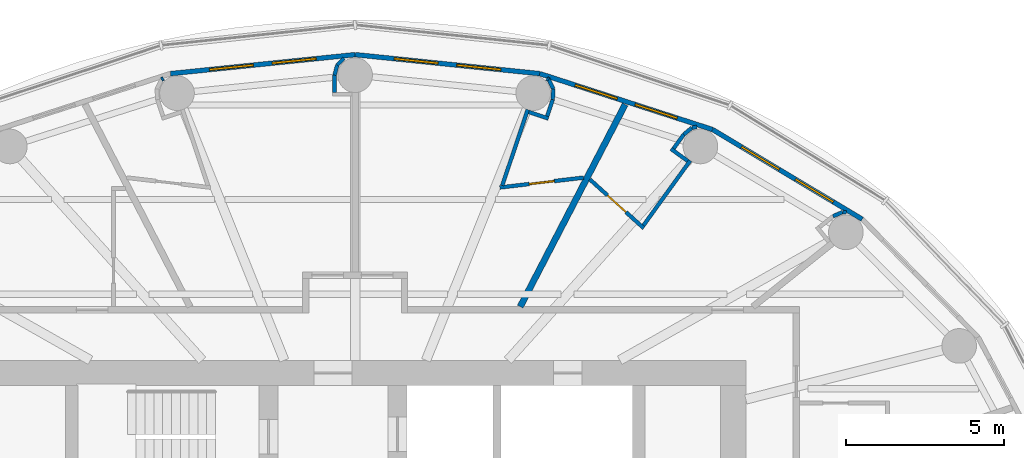
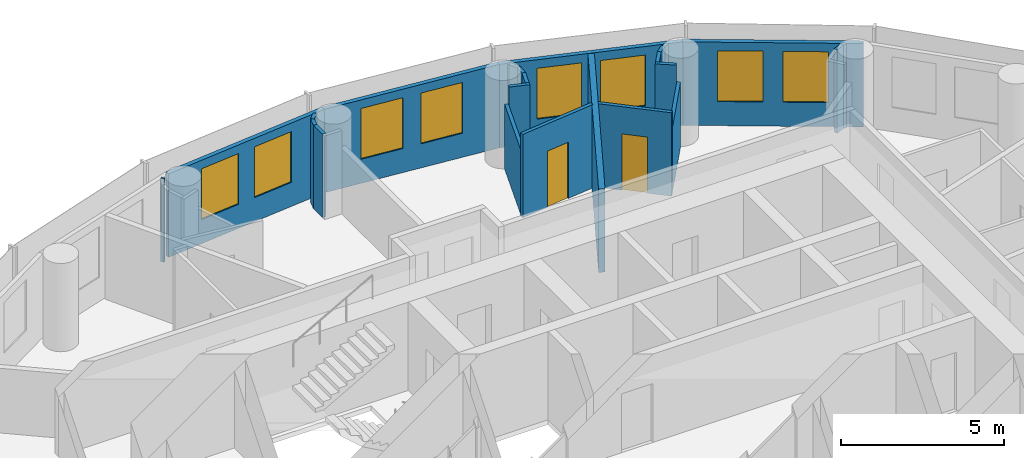
# One storey, part 13 of 16: 24 walls, 8 windows, 2 doors, 10 openings.
"""IFC4 building model written with IfcOpenShell, lengths in metres."""

from ifc_helpers import new_model, si_unit, direction, frame, frame_2d, origin, place, context, subcontext, project, spatial, rectangle, extrude, material, layer, layer_set, type_object, element, fill, save


model = new_model("IFC4")

# Units and contexts
model_context = context("Model", 3, precision=1e-05, world=origin(), true_north=direction((0.0, 1.0)))
body_context = subcontext(model_context, "Body", "Model", "MODEL_VIEW")
ifc_project = project(units=[si_unit("LENGTHUNIT", "METRE"), si_unit("AREAUNIT", "SQUARE_METRE"), si_unit("VOLUMEUNIT", "CUBIC_METRE"), si_unit("PLANEANGLEUNIT", "RADIAN"), si_unit("MASSUNIT", "GRAM", prefix="KILO")], contexts=[model_context])

# Site, building, storey
site_placement = place(None, origin())
site = spatial("IfcSite", under=ifc_project, at=site_placement, CompositionType="ELEMENT")
building_placement = place(site_placement, origin())
building = spatial("IfcBuilding", under=site, at=building_placement, Name="Hankou Lantern Tower", CompositionType="ELEMENT")
storey_placement = place(building_placement, frame((0.0, 0.0, 166.5)))
storey = spatial("IfcBuildingStorey", under=building, at=storey_placement, Name="L44", CompositionType="ELEMENT", Elevation=166.5)

# Wall, openings, windows
ifc_material_1 = material(Name="Aluminium spandrel panel on steel studs", Category="steel")
ifc_layer_1 = layer(ifc_material_1, 0.14990234375)
ifc_layer_set_1 = layer_set([ifc_layer_1], Name="Aluminium spandrel panel on steel studs")
wall_type_1 = type_object("IfcWallType", Name="EW1 INNER SKIN WALL 150", PredefinedType="ELEMENTEDWALL", material=ifc_layer_set_1)
wall_1_placement = place(storey_placement, frame((16.0947265625, 12.875732421875, 0.0), z_axis=(0.0, 0.0, 1.0), x_axis=(-0.857695199231, 0.514158482587, 0.0)))
wall_1 = element("IfcWall", 1, at=wall_1_placement, inside=storey, type_object=wall_type_1, Name="Inner skin R04-R05 L44", PredefinedType="ELEMENTEDWALL", context=body_context, shape_type="SweptSolid", body=[
    extrude(rectangle(XDim=5.5361328125, YDim=0.14990234375, at=frame_2d((2.76806640625, 0.0))), origin(), (0.0, 0.0, 1.0), 3.1201171875),
])
opening_1_placement = place(wall_1_placement, frame((1.068115234375, 0.0, 0.89990234375)))
opening_1 = element("IfcOpeningElement", 2, at=opening_1_placement, cuts=wall_1, Name="Opening W3", PredefinedType="OPENING", context=body_context, shape_type="SweptSolid", body=[
    extrude(rectangle(XDim=1.39990234375, YDim=1.89990234375, at=frame_2d((0.699951171875, 0.949951171875))), frame((0.0, 0.0849609375, 0.0), z_axis=(0.0, -1.0, 0.0), x_axis=(1.0, 0.0, 0.0)), (0.0, 0.0, 1.0), 0.169921875),
])
opening_2_placement = place(wall_1_placement, frame((3.068115234375, 0.0, 0.89990234375)))
opening_2 = element("IfcOpeningElement", 3, at=opening_2_placement, cuts=wall_1, Name="Opening W3", PredefinedType="OPENING", context=body_context, shape_type="SweptSolid", body=[
    extrude(rectangle(XDim=1.39990234375, YDim=1.89990234375, at=frame_2d((0.699951171875, 0.949951171875))), frame((0.0, 0.0849609375, 0.0), z_axis=(0.0, -1.0, 0.0), x_axis=(1.0, 0.0, 0.0)), (0.0, 0.0, 1.0), 0.169921875),
])
ifc_material_2 = material(Name="Aluminium framed double glazed window", Category="aluminium")
window_type = type_object("IfcWindowType", Name="W3 GUEST ROOM WINDOW 1400X1900", PartitioningType="DOUBLE_PANEL_VERTICAL", PredefinedType="WINDOW", material=ifc_material_2)
window_1_placement = place(opening_1_placement, origin())
window_1 = element("IfcWindow", 4, at=window_1_placement, inside=storey, type_object=window_type, Name="Window R04.1 L44", OverallHeight=1.89990234375, OverallWidth=1.39990234375, PartitioningType="SINGLE_PANEL", PredefinedType="WINDOW", context=body_context, shape_type="SweptSolid", body=[
    extrude(rectangle(XDim=1.39990234375, YDim=1.89990234375, at=frame_2d((0.699951171875, 0.949951171875))), frame((0.0, 0.030029296875, 0.0), z_axis=(0.0, -1.0, 0.0), x_axis=(1.0, 0.0, 0.0)), (0.0, 0.0, 1.0), 0.06005859375),
])
fill(opening_1, window_1)
window_2_placement = place(opening_2_placement, origin())
window_2 = element("IfcWindow", 5, at=window_2_placement, inside=storey, type_object=window_type, Name="Window R04.2 L44", OverallHeight=1.89990234375, OverallWidth=1.39990234375, PartitioningType="SINGLE_PANEL", PredefinedType="WINDOW", context=body_context, shape_type="SweptSolid", body=[
    extrude(rectangle(XDim=1.39990234375, YDim=1.89990234375, at=frame_2d((0.699951171875, 0.949951171875))), frame((0.0, 0.030029296875, 0.0), z_axis=(0.0, -1.0, 0.0), x_axis=(1.0, 0.0, 0.0)), (0.0, 0.0, 1.0), 0.06005859375),
])
fill(opening_2, window_2)

wall_2_placement = place(storey_placement, frame((11.346435546875, 15.72216796875, 0.0), z_axis=(0.0, 0.0, 1.0), x_axis=(-0.951432482129, 0.307857486429, 0.0)))
wall_2 = element("IfcWall", 6, at=wall_2_placement, inside=storey, type_object=wall_type_1, Name="Inner skin R05-R06 L44", PredefinedType="ELEMENTEDWALL", context=body_context, shape_type="SweptSolid", body=[
    extrude(rectangle(XDim=5.76611328125, YDim=0.14990234375, at=frame_2d((2.883056640625, 0.0))), origin(), (0.0, 0.0, 1.0), 3.1201171875),
])
opening_3_placement = place(wall_2_placement, frame((1.18310546875, 0.0, 0.89990234375)))
opening_3 = element("IfcOpeningElement", 7, at=opening_3_placement, cuts=wall_2, Name="Opening W3", PredefinedType="OPENING", context=body_context, shape_type="SweptSolid", body=[
    extrude(rectangle(XDim=1.39990234375, YDim=1.89990234375, at=frame_2d((0.699951171875, 0.949951171875))), frame((0.0, 0.0849609375, 0.0), z_axis=(0.0, -1.0, 0.0), x_axis=(1.0, 0.0, 0.0)), (0.0, 0.0, 1.0), 0.169921875),
])
opening_4_placement = place(wall_2_placement, frame((3.18310546875, 0.0, 0.89990234375)))
opening_4 = element("IfcOpeningElement", 8, at=opening_4_placement, cuts=wall_2, Name="Opening W3", PredefinedType="OPENING", context=body_context, shape_type="SweptSolid", body=[
    extrude(rectangle(XDim=1.39990234375, YDim=1.89990234375, at=frame_2d((0.699951171875, 0.949951171875))), frame((0.0, 0.0849609375, 0.0), z_axis=(0.0, -1.0, 0.0), x_axis=(1.0, 0.0, 0.0)), (0.0, 0.0, 1.0), 0.169921875),
])
window_3_placement = place(opening_3_placement, origin())
window_3 = element("IfcWindow", 9, at=window_3_placement, inside=storey, type_object=window_type, Name="Window R05.1 L44", OverallHeight=1.89990234375, OverallWidth=1.39990234375, PartitioningType="SINGLE_PANEL", PredefinedType="WINDOW", context=body_context, shape_type="SweptSolid", body=[
    extrude(rectangle(XDim=1.39990234375, YDim=1.89990234375, at=frame_2d((0.699951171875, 0.949951171875))), frame((0.0, 0.030029296875, 0.0), z_axis=(0.0, -1.0, 0.0), x_axis=(1.0, 0.0, 0.0)), (0.0, 0.0, 1.0), 0.06005859375),
])
fill(opening_3, window_3)
window_4_placement = place(opening_4_placement, origin())
window_4 = element("IfcWindow", 10, at=window_4_placement, inside=storey, type_object=window_type, Name="Window R05.2 L44", OverallHeight=1.89990234375, OverallWidth=1.39990234375, PartitioningType="SINGLE_PANEL", PredefinedType="WINDOW", context=body_context, shape_type="SweptSolid", body=[
    extrude(rectangle(XDim=1.39990234375, YDim=1.89990234375, at=frame_2d((0.699951171875, 0.949951171875))), frame((0.0, 0.030029296875, 0.0), z_axis=(0.0, -1.0, 0.0), x_axis=(1.0, 0.0, 0.0)), (0.0, 0.0, 1.0), 0.06005859375),
])
fill(opening_4, window_4)

wall_3_placement = place(storey_placement, frame((5.8603515625, 17.497314453125, 0.0), z_axis=(0.0, 0.0, 1.0), x_axis=(-0.994751738032, 0.102318032045, 0.0)))
wall_3 = element("IfcWall", 11, at=wall_3_placement, inside=storey, type_object=wall_type_1, Name="Inner skin R06-R07 L44", PredefinedType="ELEMENTEDWALL", context=body_context, shape_type="SweptSolid", body=[
    extrude(rectangle(XDim=5.891357421875, YDim=0.14990234375, at=frame_2d((2.94580078125, 0.0))), origin(), (0.0, 0.0, 1.0), 3.1201171875),
])
opening_5_placement = place(wall_3_placement, frame((1.24560546875, 0.0, 0.89990234375)))
opening_5 = element("IfcOpeningElement", 12, at=opening_5_placement, cuts=wall_3, Name="Opening W3", PredefinedType="OPENING", context=body_context, shape_type="SweptSolid", body=[
    extrude(rectangle(XDim=1.39990234375, YDim=1.89990234375, at=frame_2d((0.699951171875, 0.949951171875))), frame((0.0, 0.0849609375, 0.0), z_axis=(0.0, -1.0, 0.0), x_axis=(1.0, 0.0, 0.0)), (0.0, 0.0, 1.0), 0.169921875),
])
opening_6_placement = place(wall_3_placement, frame((3.24560546875, 0.0, 0.89990234375)))
opening_6 = element("IfcOpeningElement", 13, at=opening_6_placement, cuts=wall_3, Name="Opening W3", PredefinedType="OPENING", context=body_context, shape_type="SweptSolid", body=[
    extrude(rectangle(XDim=1.39990234375, YDim=1.89990234375, at=frame_2d((0.699951171875, 0.949951171875))), frame((0.0, 0.0849609375, 0.0), z_axis=(0.0, -1.0, 0.0), x_axis=(1.0, 0.0, 0.0)), (0.0, 0.0, 1.0), 0.169921875),
])
window_5_placement = place(opening_5_placement, origin())
window_5 = element("IfcWindow", 14, at=window_5_placement, inside=storey, type_object=window_type, Name="Window R06.1 L44", OverallHeight=1.89990234375, OverallWidth=1.39990234375, PartitioningType="SINGLE_PANEL", PredefinedType="WINDOW", context=body_context, shape_type="SweptSolid", body=[
    extrude(rectangle(XDim=1.39990234375, YDim=1.89990234375, at=frame_2d((0.699951171875, 0.949951171875))), frame((0.0, 0.030029296875, 0.0), z_axis=(0.0, -1.0, 0.0), x_axis=(1.0, 0.0, 0.0)), (0.0, 0.0, 1.0), 0.06005859375),
])
fill(opening_5, window_5)
window_6_placement = place(opening_6_placement, origin())
window_6 = element("IfcWindow", 15, at=window_6_placement, inside=storey, type_object=window_type, Name="Window R06.2 L44", OverallHeight=1.89990234375, OverallWidth=1.39990234375, PartitioningType="SINGLE_PANEL", PredefinedType="WINDOW", context=body_context, shape_type="SweptSolid", body=[
    extrude(rectangle(XDim=1.39990234375, YDim=1.89990234375, at=frame_2d((0.699951171875, 0.949951171875))), frame((0.0, 0.030029296875, 0.0), z_axis=(0.0, -1.0, 0.0), x_axis=(1.0, 0.0, 0.0)), (0.0, 0.0, 1.0), 0.06005859375),
])
fill(opening_6, window_6)

wall_4_placement = place(storey_placement, frame((0.0, 18.10009765625, 0.0), z_axis=(0.0, 0.0, 1.0), x_axis=(-0.994751738032, -0.102318032045, 0.0)))
wall_4 = element("IfcWall", 16, at=wall_4_placement, inside=storey, type_object=wall_type_1, Name="Inner skin R07-R08 L44", PredefinedType="ELEMENTEDWALL", context=body_context, shape_type="SweptSolid", body=[
    extrude(rectangle(XDim=5.891357421875, YDim=0.14990234375, at=frame_2d((2.94580078125, 0.0))), origin(), (0.0, 0.0, 1.0), 3.1201171875),
])
opening_7_placement = place(wall_4_placement, frame((1.24560546875, 0.0, 0.89990234375)))
opening_7 = element("IfcOpeningElement", 17, at=opening_7_placement, cuts=wall_4, Name="Opening W3", PredefinedType="OPENING", context=body_context, shape_type="SweptSolid", body=[
    extrude(rectangle(XDim=1.39990234375, YDim=1.89990234375, at=frame_2d((0.699951171875, 0.949951171875))), frame((0.0, 0.0849609375, 0.0), z_axis=(0.0, -1.0, 0.0), x_axis=(1.0, 0.0, 0.0)), (0.0, 0.0, 1.0), 0.169921875),
])
opening_8_placement = place(wall_4_placement, frame((3.24560546875, 0.0, 0.89990234375)))
opening_8 = element("IfcOpeningElement", 18, at=opening_8_placement, cuts=wall_4, Name="Opening W3", PredefinedType="OPENING", context=body_context, shape_type="SweptSolid", body=[
    extrude(rectangle(XDim=1.39990234375, YDim=1.89990234375, at=frame_2d((0.699951171875, 0.949951171875))), frame((0.0, 0.0849609375, 0.0), z_axis=(0.0, -1.0, 0.0), x_axis=(1.0, 0.0, 0.0)), (0.0, 0.0, 1.0), 0.169921875),
])
window_7_placement = place(opening_7_placement, origin())
window_7 = element("IfcWindow", 19, at=window_7_placement, inside=storey, type_object=window_type, Name="Window R07.1 L44", OverallHeight=1.89990234375, OverallWidth=1.39990234375, PartitioningType="SINGLE_PANEL", PredefinedType="WINDOW", context=body_context, shape_type="SweptSolid", body=[
    extrude(rectangle(XDim=1.39990234375, YDim=1.89990234375, at=frame_2d((0.699951171875, 0.949951171875))), frame((0.0, 0.030029296875, 0.0), z_axis=(0.0, -1.0, 0.0), x_axis=(1.0, 0.0, 0.0)), (0.0, 0.0, 1.0), 0.06005859375),
])
fill(opening_7, window_7)
window_8_placement = place(opening_8_placement, origin())
window_8 = element("IfcWindow", 20, at=window_8_placement, inside=storey, type_object=window_type, Name="Window R07.2 L44", OverallHeight=1.89990234375, OverallWidth=1.39990234375, PartitioningType="SINGLE_PANEL", PredefinedType="WINDOW", context=body_context, shape_type="SweptSolid", body=[
    extrude(rectangle(XDim=1.39990234375, YDim=1.89990234375, at=frame_2d((0.699951171875, 0.949951171875))), frame((0.0, 0.030029296875, 0.0), z_axis=(0.0, -1.0, 0.0), x_axis=(1.0, 0.0, 0.0)), (0.0, 0.0, 1.0), 0.06005859375),
])
fill(opening_8, window_8)

# Wall
ifc_material_3 = material(Name="Masonry lightweight concrete block", Category="masonry")
ifc_layer_2 = layer(ifc_material_3, 0.199951171875)
ifc_layer_set_2 = layer_set([ifc_layer_2], Name="Masonry lightweight concrete block")
wall_type_2 = type_object("IfcWallType", Name="IW1 GUEST ROOM PARTY WALL 200", PredefinedType="PARTITIONING", material=ifc_layer_set_2)
wall_5_placement = place(storey_placement, frame((5.239990234375, 10.10009765625, 0.0), z_axis=(0.0, 0.0, 1.0), x_axis=(0.460532965373, 0.887642601391, 0.0)))
element("IfcWall", 21, at=wall_5_placement, inside=storey, type_object=wall_type_2, Name="Party wall R05-R06", PredefinedType="PARTITIONING", context=body_context, shape_type="SweptSolid", body=[
    extrude(rectangle(XDim=7.2314453125, YDim=0.199951171875, at=frame_2d((3.61572265625, 0.0))), origin(), (0.0, 0.0, 1.0), 3.1201171875),
])

# Wall, opening, door
ifc_material_4 = material(Name="Masonry lightweight concrete block", Category="masonry")
ifc_layer_3 = layer(ifc_material_4, 0.1201171875)
ifc_layer_set_3 = layer_set([ifc_layer_3], Name="Masonry lightweight concrete block")
wall_type_3 = type_object("IfcWallType", Name="IW3 BATHROOM WALL 120", PredefinedType="PARTITIONING", material=ifc_layer_set_3)
wall_6_placement = place(storey_placement, frame((7.44970703125, 14.1416015625, 0.0), z_axis=(0.0, 0.0, 1.0), x_axis=(0.74113984586, -0.671350675041, 0.0)))
wall_6 = element("IfcWall", 22, at=wall_6_placement, inside=storey, type_object=wall_type_3, Name="Box wall 4407 1", PredefinedType="PARTITIONING", context=body_context, shape_type="SweptSolid", body=[
    extrude(rectangle(XDim=2.308837890625, YDim=0.1201171875, at=frame_2d((1.154296875, 0.0))), origin(), (0.0, 0.0, 1.0), 3.1201171875),
])
opening_9_placement = place(wall_6_placement, frame((0.75439453125, 0.0, 0.0)))
opening_9 = element("IfcOpeningElement", 23, at=opening_9_placement, cuts=wall_6, Name="Opening D3", PredefinedType="OPENING", context=body_context, shape_type="SweptSolid", body=[
    extrude(rectangle(XDim=0.800048828125, YDim=2.10009765625, at=frame_2d((0.39990234375, 1.050048828125))), frame((0.0, 0.070068359375, 0.0), z_axis=(0.0, -1.0, 0.0), x_axis=(1.0, 0.0, 0.0)), (0.0, 0.0, 1.0), 0.14013671875),
])
ifc_material_5 = material(Name="Timber door leaf", Category="wood")
door_type = type_object("IfcDoorType", Name="D3 BATHROOM DOOR 800X2100", OperationType="SINGLE_SWING_LEFT", PredefinedType="DOOR", material=ifc_material_5)
door_1_placement = place(opening_9_placement, origin())
door_1 = element("IfcDoor", 24, at=door_1_placement, inside=storey, type_object=door_type, Name="En-suite bathroom 4407 door", OperationType="SINGLE_SWING_RIGHT", OverallHeight=2.10009765625, OverallWidth=0.800048828125, PredefinedType="DOOR", context=body_context, shape_type="SweptSolid", body=[
    extrude(rectangle(XDim=0.800048828125, YDim=2.10009765625, at=frame_2d((0.39990234375, 1.050048828125))), frame((0.0, 0.02490234375, 0.0), z_axis=(0.0, -1.0, 0.0), x_axis=(1.0, 0.0, 0.0)), (0.0, 0.0, 1.0), 0.050048828125),
])
fill(opening_9, door_1)

# Walls
wall_7_placement = place(storey_placement, frame((9.1513671875, 12.6806640625, 0.0), z_axis=(0.0, 0.0, 1.0), x_axis=(0.585258912334, 0.8108464747, 0.0)))
element("IfcWall", 25, at=wall_7_placement, inside=storey, type_object=wall_type_3, Name="Box wall 4407 2", PredefinedType="PARTITIONING", context=body_context, shape_type="SweptSolid", body=[
    extrude(rectangle(XDim=2.5400390625, YDim=0.1201171875, at=frame_2d((1.27001953125, 0.0))), origin(), (0.0, 0.0, 1.0), 2.419921875),
])
wall_8_placement = place(storey_placement, frame((10.55419921875, 14.726806640625, 0.0), z_axis=(0.0, 0.0, 1.0), x_axis=(-0.811044231224, 0.584984833135, 0.0)))
element("IfcWall", 26, at=wall_8_placement, inside=storey, type_object=wall_type_3, Name="Column casing 4407 return", PredefinedType="PARTITIONING", context=body_context, shape_type="SweptSolid", body=[
    extrude(rectangle(XDim=0.65234375, YDim=0.1201171875, at=frame_2d((0.326171875, 0.0))), origin(), (0.0, 0.0, 1.0), 3.1201171875),
])
wall_9_placement = place(storey_placement, frame((10.10888671875, 15.121826171875, 0.0), z_axis=(0.0, 0.0, 1.0), x_axis=(0.585344718358, 0.810784534072, 0.0)))
element("IfcWall", 27, at=wall_9_placement, inside=storey, type_object=wall_type_3, Name="Column casing 4407", PredefinedType="PARTITIONING", context=body_context, shape_type="SweptSolid", body=[
    extrude(rectangle(XDim=0.550048828125, YDim=0.1201171875, at=frame_2d((0.27490234375, 0.0))), origin(), (0.0, 0.0, 1.0), 3.1201171875),
])
wall_10_placement = place(storey_placement, frame((10.430908203125, 15.56787109375, 0.0), z_axis=(0.0, 0.0, 1.0), x_axis=(0.77505137267, 0.631898227345, 0.0)))
element("IfcWall", 28, at=wall_10_placement, inside=storey, type_object=wall_type_3, Name="Column casing 4407", PredefinedType="PARTITIONING", context=body_context, shape_type="SweptSolid", body=[
    extrude(rectangle(XDim=0.337646484375, YDim=0.1201171875, at=frame_2d((0.1689453125, 0.0))), origin(), (0.0, 0.0, 1.0), 3.1201171875),
])
wall_11_placement = place(storey_placement, frame((10.692626953125, 15.78125, 0.0), z_axis=(0.0, 0.0, 1.0), x_axis=(0.987256785332, 0.159135287777, 0.0)))
element("IfcWall", 29, at=wall_11_placement, inside=storey, type_object=wall_type_3, Name="Column casing 4407", PredefinedType="PARTITIONING", context=body_context, shape_type="SweptSolid", body=[
    extrude(rectangle(XDim=0.157958984375, YDim=0.1201171875, at=frame_2d((0.0791015625, 0.0))), origin(), (0.0, 0.0, 1.0), 3.1201171875),
])

# Wall, opening, door
wall_12_placement = place(storey_placement, frame((7.2529296875, 14.197021484375, 0.0), z_axis=(0.0, 0.0, 1.0), x_axis=(-0.993128188393, -0.117031625725, 0.0)))
wall_12 = element("IfcWall", 30, at=wall_12_placement, inside=storey, type_object=wall_type_3, Name="Box wall 4408 1", PredefinedType="PARTITIONING", context=body_context, shape_type="SweptSolid", body=[
    extrude(rectangle(XDim=2.678466796875, YDim=0.1201171875, at=frame_2d((1.33935546875, 0.0))), origin(), (0.0, 0.0, 1.0), 3.1201171875),
])
opening_10_placement = place(wall_12_placement, frame((0.939208984375, 0.0, 0.0)))
opening_10 = element("IfcOpeningElement", 31, at=opening_10_placement, cuts=wall_12, Name="Opening D3", PredefinedType="OPENING", context=body_context, shape_type="SweptSolid", body=[
    extrude(rectangle(XDim=0.800048828125, YDim=2.10009765625, at=frame_2d((0.39990234375, 1.050048828125))), frame((0.0, 0.070068359375, 0.0), z_axis=(0.0, -1.0, 0.0), x_axis=(1.0, 0.0, 0.0)), (0.0, 0.0, 1.0), 0.14013671875),
])
door_2_placement = place(opening_10_placement, origin())
door_2 = element("IfcDoor", 32, at=door_2_placement, inside=storey, type_object=door_type, Name="En-suite bathroom 4408 door", OperationType="SINGLE_SWING_LEFT", OverallHeight=2.10009765625, OverallWidth=0.800048828125, PredefinedType="DOOR", context=body_context, shape_type="SweptSolid", body=[
    extrude(rectangle(XDim=0.800048828125, YDim=2.10009765625, at=frame_2d((0.39990234375, 1.050048828125))), frame((0.0, 0.02490234375, 0.0), z_axis=(0.0, -1.0, 0.0), x_axis=(1.0, 0.0, 0.0)), (0.0, 0.0, 1.0), 0.050048828125),
])
fill(opening_10, door_2)

# Walls
wall_13_placement = place(storey_placement, frame((4.67138671875, 13.947509765625, 0.0), z_axis=(0.0, 0.0, 1.0), x_axis=(0.317669167093, 0.948201613729, 0.0)))
element("IfcWall", 33, at=wall_13_placement, inside=storey, type_object=wall_type_3, Name="Box wall 4408 2", PredefinedType="PARTITIONING", context=body_context, shape_type="SweptSolid", body=[
    extrude(rectangle(XDim=2.5400390625, YDim=0.1201171875, at=frame_2d((1.27001953125, 0.0))), origin(), (0.0, 0.0, 1.0), 2.419921875),
])
wall_14_placement = place(storey_placement, frame((5.51611328125, 16.280029296875, 0.0), z_axis=(0.0, 0.0, 1.0), x_axis=(0.948157944392, -0.317799484717, 0.0)))
element("IfcWall", 34, at=wall_14_placement, inside=storey, type_object=wall_type_3, Name="Column casing 4408 return", PredefinedType="PARTITIONING", context=body_context, shape_type="SweptSolid", body=[
    extrude(rectangle(XDim=0.652099609375, YDim=0.1201171875, at=frame_2d((0.326171875, 0.0))), origin(), (0.0, 0.0, 1.0), 3.1201171875),
])
wall_15_placement = place(storey_placement, frame((6.0966796875, 16.148681640625, 0.0), z_axis=(0.0, 0.0, 1.0), x_axis=(0.317292604854, 0.948327687514, 0.0)))
element("IfcWall", 35, at=wall_15_placement, inside=storey, type_object=wall_type_3, Name="Column casing 4408", PredefinedType="PARTITIONING", context=body_context, shape_type="SweptSolid", body=[
    extrude(rectangle(XDim=0.550048828125, YDim=0.1201171875, at=frame_2d((0.27490234375, 0.0))), origin(), (0.0, 0.0, 1.0), 3.1201171875),
])
for number, where, z_axis, x_axis, name in (
    (36, (6.271240234375, 16.67041015625, 0.0), (0.0, 0.0, 1.0), (0.061477694849, 0.998108457552, 0.0), "Column casing 4408"),
    (37, (6.2919921875, 17.00732421875, 0.0), (0.0, 0.0, 1.0), (-0.445477128334, 0.895293319606, 0.0), "Column casing 4408"),
):
    element("IfcWall", number, at=place(storey_placement, frame(where, z_axis=z_axis, x_axis=x_axis)), inside=storey, type_object=wall_type_3, Name=name, PredefinedType="PARTITIONING", context=body_context, shape_type="SweptSolid", body=[
        extrude(rectangle(XDim=0.337646484375, YDim=0.1201171875, at=frame_2d((0.1689453125, 0.0))), origin(), (0.0, 0.0, 1.0), 3.1201171875),
    ])
for number, where, z_axis, x_axis, name in (
    (38, (6.1416015625, 17.3095703125, 0.0), (0.0, 0.0, 1.0), (-0.835039693181, 0.550189704386, 0.0), "Column casing 4408"),
    (39, (-6.1416015625, 17.3095703125, 0.0), (0.0, 0.0, 1.0), (0.835039693181, 0.550189704386, 0.0), "Column casing 4409"),
):
    element("IfcWall", number, at=place(storey_placement, frame(where, z_axis=z_axis, x_axis=x_axis)), inside=storey, type_object=wall_type_3, Name=name, PredefinedType="PARTITIONING", context=body_context, shape_type="SweptSolid", body=[
        extrude(rectangle(XDim=0.0625, YDim=0.1201171875, at=frame_2d((0.03125, 0.0))), origin(), (0.0, 0.0, 1.0), 3.1201171875),
    ])
ifc_material_6 = material(Name="Masonry lightweight concrete block", Category="masonry")
ifc_layer_4 = layer(ifc_material_6, 0.1201171875)
ifc_layer_set_4 = layer_set([ifc_layer_4], Name="Masonry lightweight concrete block")
wall_type_4 = type_object("IfcWallType", Name="IW4 PARTITION 120", PredefinedType="PARTITIONING", material=ifc_layer_set_4)
wall_16_placement = place(storey_placement, frame((15.168701171875, 12.97021484375, 0.0), z_axis=(0.0, 0.0, 1.0), x_axis=(0.915974725257, 0.401235968838, 0.0)))
element("IfcWall", 40, at=wall_16_placement, inside=storey, type_object=wall_type_4, Name="Column casing R04", PredefinedType="PARTITIONING", context=body_context, shape_type="SweptSolid", body=[
    extrude(rectangle(XDim=0.337646484375, YDim=0.1201171875, at=frame_2d((0.1689453125, 0.0))), origin(), (0.0, 0.0, 1.0), 3.1201171875),
])
wall_17_placement = place(storey_placement, frame((15.47802734375, 13.105712890625, 0.0), z_axis=(0.0, 0.0, 1.0), x_axis=(0.993778813557, -0.111371763588, 0.0)))
element("IfcWall", 41, at=wall_17_placement, inside=storey, type_object=wall_type_4, Name="Column casing R04", PredefinedType="PARTITIONING", context=body_context, shape_type="SweptSolid", body=[
    extrude(rectangle(XDim=0.114013671875, YDim=0.1201171875, at=frame_2d((0.05712890625, 0.0))), origin(), (0.0, 0.0, 1.0), 3.1201171875),
])
wall_18_placement = place(storey_placement, frame((-0.65234375, 16.89990234375, 0.0), z_axis=(0.0, 0.0, 1.0), x_axis=(0.0, 1.0, 0.0)))
element("IfcWall", 42, at=wall_18_placement, inside=storey, type_object=wall_type_4, Name="Column casing R07", PredefinedType="PARTITIONING", context=body_context, shape_type="SweptSolid", body=[
    extrude(rectangle(XDim=0.550048828125, YDim=0.1201171875, at=frame_2d((0.27490234375, 0.0))), origin(), (0.0, 0.0, 1.0), 3.1201171875),
])
wall_19_placement = place(storey_placement, frame((-0.65234375, 17.449951171875, 0.0), z_axis=(0.0, 0.0, 1.0), x_axis=(0.258832454679, 0.965922233104, 0.0)))
element("IfcWall", 43, at=wall_19_placement, inside=storey, type_object=wall_type_4, Name="Column casing R07", PredefinedType="PARTITIONING", context=body_context, shape_type="SweptSolid", body=[
    extrude(rectangle(XDim=0.337646484375, YDim=0.1201171875, at=frame_2d((0.1689453125, 0.0))), origin(), (0.0, 0.0, 1.0), 3.1201171875),
])
wall_20_placement = place(storey_placement, frame((-0.56494140625, 17.776123046875, 0.0), z_axis=(0.0, 0.0, 1.0), x_axis=(0.707106781187, 0.707106781187, 0.0)))
element("IfcWall", 44, at=wall_20_placement, inside=storey, type_object=wall_type_4, Name="Column casing R07", PredefinedType="PARTITIONING", context=body_context, shape_type="SweptSolid", body=[
    extrude(rectangle(XDim=0.30078125, YDim=0.1201171875, at=frame_2d((0.150390625, 0.0))), origin(), (0.0, 0.0, 1.0), 3.1201171875),
])

save(model, "model.ifc")
